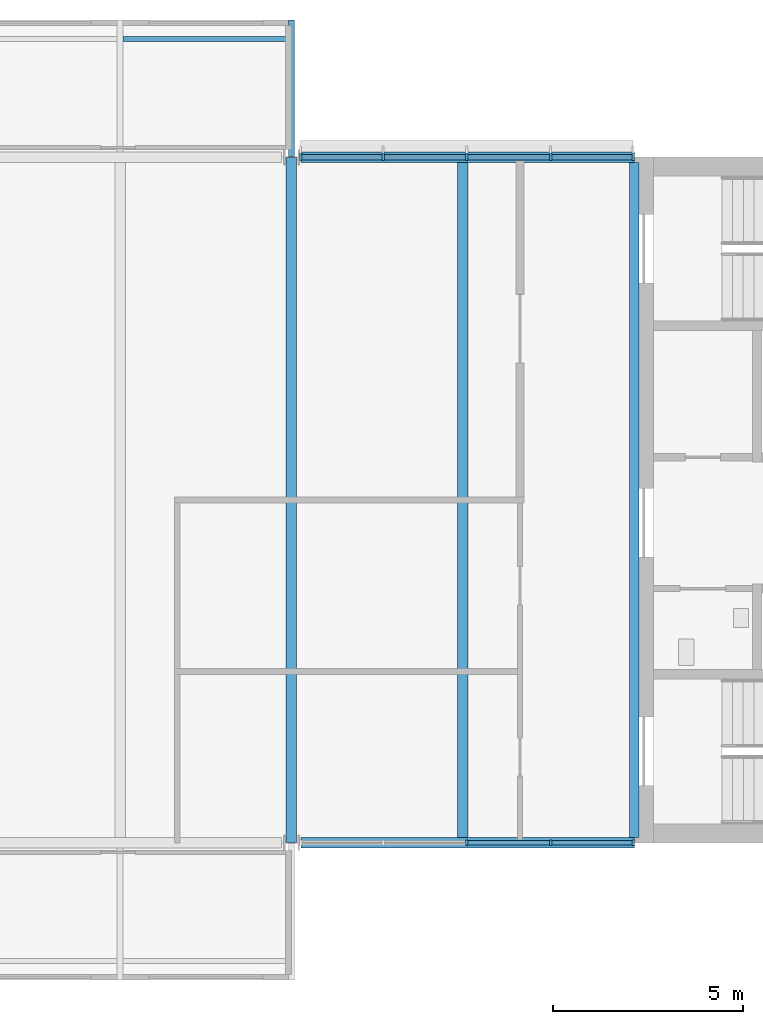
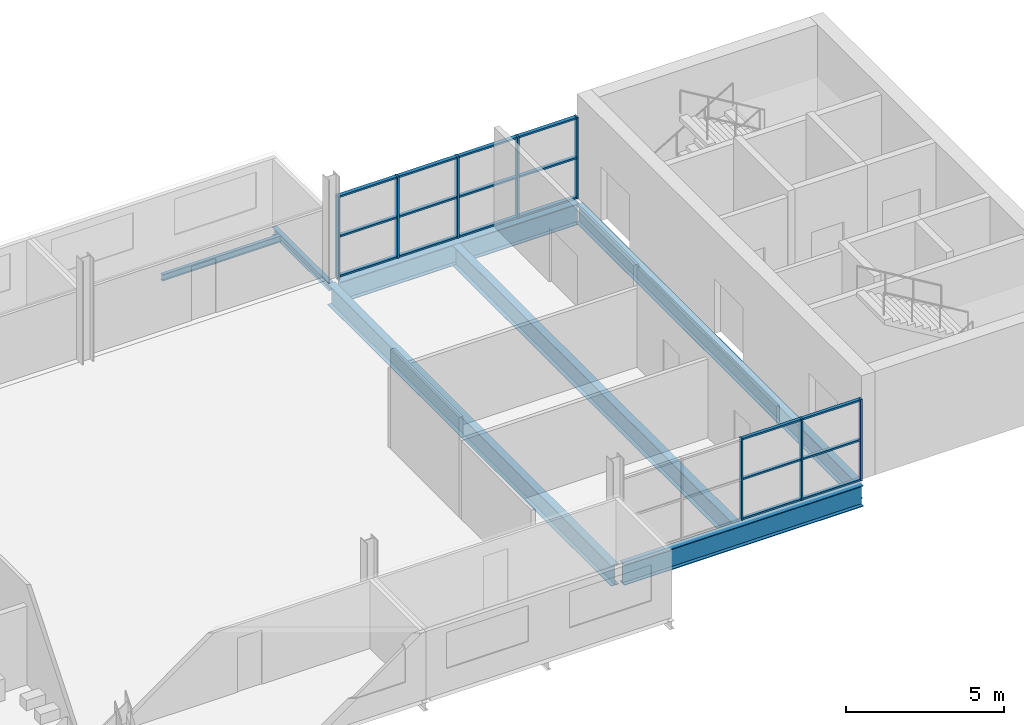
# One storey, part 3 of 10: 26 members, 7 beams, 2 elements without a shape of their own.
"""IFC4 building model written with IfcOpenShell, lengths in metres."""

from ifc_helpers import new_model, si_unit, direction, frame, origin, origin_2d, place, context, subcontext, project, spatial, rectangle, i_section, extrude, material, layer, layer_set, material_profile, profile_set, type_object, element, aggregate, save


model = new_model("IFC4")

# Units and contexts
model_context = context("Model", 3, precision=1e-05, world=origin(), true_north=direction((0.0, 1.0)))
body_context = subcontext(model_context, "Body", "Model", "MODEL_VIEW")
ifc_project = project(units=[si_unit("LENGTHUNIT", "METRE"), si_unit("AREAUNIT", "SQUARE_METRE"), si_unit("VOLUMEUNIT", "CUBIC_METRE"), si_unit("PLANEANGLEUNIT", "RADIAN"), si_unit("MASSUNIT", "GRAM", prefix="KILO")], contexts=[model_context])

# Site, building, storey
site_placement = place(None, origin())
site = spatial("IfcSite", under=ifc_project, at=site_placement, CompositionType="ELEMENT")
building_placement = place(site_placement, origin())
building = spatial("IfcBuilding", under=site, at=building_placement, Name="Corbel Yard City Hall", CompositionType="ELEMENT")
storey_placement = place(building_placement, frame((0.0, 0.0, 27.199951171875)))
storey = spatial("IfcBuildingStorey", under=building, at=storey_placement, Name="L06", CompositionType="ELEMENT", Elevation=27.199951171875)

# Beams
ifc_material_1 = material(Name="Steel Grade 350", Category="steel")
ifc_material_profile_1 = material_profile(ifc_material_1, i_section(OverallWidth=0.27490234375, OverallDepth=0.81005859375, WebThickness=0.010009765625, FlangeThickness=0.02490234375, at=origin_2d()), Name="800WB168")
ifc_profile_set_1 = profile_set([ifc_material_profile_1], Name="Steel Grade 350")
beam_type_1 = type_object("IfcBeamType", Name="Edge beam 800WB168", PredefinedType="BEAM", material=ifc_profile_set_1)
for number, where, z_axis, x_axis, name in (
    (1, (36.257080078125, 99.0, -0.554931640625), (1.0, 0.0, 0.0), (0.0, 1.0, 0.0), "Edge beam 800WB168 EB3 L06tower"),
    (2, (36.257080078125, 117.0, -0.554931640625), (1.0, 0.0, 0.0), (0.0, 1.0, 0.0), "Edge beam 800WB168 EB3 L06tower"),
):
    element("IfcBeam", number, at=place(storey_placement, frame(where, z_axis=z_axis, x_axis=x_axis)), inside=storey, type_object=beam_type_1, Name=name, PredefinedType="BEAM", context=body_context, shape_type="SweptSolid", body=[
        extrude(i_section(OverallWidth=0.27490234375, OverallDepth=0.81005859375, WebThickness=0.010009765625, FlangeThickness=0.02490234375, at=origin_2d()), origin(), (0.0, 0.0, 1.0), 8.742919921875),
    ])
ifc_material_profile_2 = material_profile(ifc_material_1, i_section(OverallWidth=0.27490234375, OverallDepth=0.800048828125, WebThickness=0.010009765625, FlangeThickness=0.02001953125, at=origin_2d()), Name="800WB146")
ifc_profile_set_2 = profile_set([ifc_material_profile_2], Name="Steel Grade 350")
beam_type_2 = type_object("IfcBeamType", Name="Long-span beam 800WB146", PredefinedType="BEAM", material=ifc_profile_set_2)
beam_1_placement = place(storey_placement, frame((36.0, 99.012451171875, -0.550048828125), z_axis=(0.0, 1.0, 0.0), x_axis=(-1.0, 0.0, 0.0)))
element("IfcBeam", 3, at=beam_1_placement, inside=storey, type_object=beam_type_2, Name="Long-span beam 800WB146 SB8 L06tower", PredefinedType="BEAM", context=body_context, shape_type="SweptSolid", body=[
    extrude(i_section(OverallWidth=0.27490234375, OverallDepth=0.800048828125, WebThickness=0.010009765625, FlangeThickness=0.02001953125, at=origin_2d()), origin(), (0.0, 0.0, 1.0), 17.97509765625),
])
ifc_material_profile_3 = material_profile(ifc_material_1, i_section(OverallWidth=0.25, OverallDepth=0.7099609375, WebThickness=0.010009765625, FlangeThickness=0.02490234375, at=origin_2d()), Name="700WB150")
ifc_profile_set_3 = profile_set([ifc_material_profile_3], Name="Steel Grade 350")
beam_type_3 = type_object("IfcBeamType", Name="Long-span edge beam 700WB150", PredefinedType="BEAM", material=ifc_profile_set_3)
beam_2_placement = place(storey_placement, frame((45.0, 99.137451171875, -0.5048828125), z_axis=(0.0, 1.0, 0.0), x_axis=(-1.0, 0.0, 0.0)))
element("IfcBeam", 4, at=beam_2_placement, inside=storey, type_object=beam_type_3, Name="Long-span edge beam 700WB150 EB8 L06tower", PredefinedType="BEAM", context=body_context, shape_type="SweptSolid", body=[
    extrude(i_section(OverallWidth=0.25, OverallDepth=0.7099609375, WebThickness=0.010009765625, FlangeThickness=0.02490234375, at=origin_2d()), origin(), (0.0, 0.0, 1.0), 17.72509765625),
])
ifc_material_profile_4 = material_profile(ifc_material_1, i_section(OverallWidth=0.27490234375, OverallDepth=0.800048828125, WebThickness=0.010009765625, FlangeThickness=0.02001953125, at=origin_2d()), Name="800WB146")
ifc_profile_set_4 = profile_set([ifc_material_profile_4], Name="Steel Grade 350")
beam_type_4 = type_object("IfcBeamType", Name="Long-span secondary beam 800WB146", PredefinedType="JOIST", material=ifc_profile_set_4)
beam_3_placement = place(storey_placement, frame((40.5, 99.137451171875, -0.550048828125), z_axis=(0.0, 1.0, 0.0), x_axis=(-1.0, 0.0, 0.0)))
element("IfcBeam", 5, at=beam_3_placement, inside=storey, type_object=beam_type_4, Name="Long-span secondary beam 800WB146 SB7 L06tower", PredefinedType="JOIST", context=body_context, shape_type="SweptSolid", body=[
    extrude(i_section(OverallWidth=0.27490234375, OverallDepth=0.800048828125, WebThickness=0.010009765625, FlangeThickness=0.02001953125, at=origin_2d()), origin(), (0.0, 0.0, 1.0), 17.72509765625),
])

# Curtain wall, members
ifc_material_2 = material(Name="Aluminium extrusion", Category="aluminium")
ifc_layer_1 = layer(ifc_material_2, 0.14990234375)
ifc_layer_set_1 = layer_set([ifc_layer_1], Name="Aluminium extrusion")
curtain_wall_type_1 = type_object("IfcCurtainWallType", Name="CW2", PredefinedType="USERDEFINED", material=ifc_layer_set_1)
curtain_wall_1_placement = place(storey_placement, origin())
curtain_wall_1 = element("IfcCurtainWall", 6, at=curtain_wall_1_placement, inside=storey, type_object=curtain_wall_type_1, Name="Curtain wall CW2 L06", ObjectType="CURTAIN WALL", PredefinedType="USERDEFINED")
ifc_material_profile_5 = material_profile(ifc_material_2, rectangle(XDim=0.14990234375, YDim=0.06494140625, at=origin_2d()), Name="150x65")
ifc_profile_set_5 = profile_set([ifc_material_profile_5], Name="Aluminium extrusion")
member_type_1 = type_object("IfcMemberType", Name="ML2", PredefinedType="MULLION", material=ifc_profile_set_5)
member_1_placement = place(storey_placement, frame((40.603515625, 99.0, 0.0), z_axis=(0.0, 0.0, 1.0), x_axis=(0.0, 1.0, 0.0)))
member_1 = element("IfcMember", 7, at=member_1_placement, type_object=member_type_1, Name="CW2 mullion 3", PredefinedType="MULLION", context=body_context, shape_type="SweptSolid", body=[
    extrude(rectangle(XDim=0.14990234375, YDim=0.06494140625, at=origin_2d()), origin(), (0.0, 0.0, 1.0), 3.150146484375),
])
member_2_placement = place(storey_placement, frame((42.8017578125, 99.0, 0.0), z_axis=(0.0, 0.0, 1.0), x_axis=(0.0, 1.0, 0.0)))
member_2 = element("IfcMember", 8, at=member_2_placement, type_object=member_type_1, Name="CW2 mullion 4", PredefinedType="MULLION", context=body_context, shape_type="SweptSolid", body=[
    extrude(rectangle(XDim=0.14990234375, YDim=0.06494140625, at=origin_2d()), origin(), (0.0, 0.0, 1.0), 3.150146484375),
])
member_3_placement = place(storey_placement, frame((44.967529296875, 99.0, 0.0), z_axis=(0.0, 0.0, 1.0), x_axis=(0.0, 1.0, 0.0)))
member_3 = element("IfcMember", 9, at=member_3_placement, type_object=member_type_1, Name="CW2 mullion 5", PredefinedType="MULLION", context=body_context, shape_type="SweptSolid", body=[
    extrude(rectangle(XDim=0.14990234375, YDim=0.06494140625, at=origin_2d()), origin(), (0.0, 0.0, 1.0), 3.150146484375),
])

ifc_layer_2 = layer(ifc_material_2, 0.179931640625)
ifc_layer_set_2 = layer_set([ifc_layer_2], Name="Aluminium extrusion")
curtain_wall_type_2 = type_object("IfcCurtainWallType", Name="CW6", PredefinedType="USERDEFINED", material=ifc_layer_set_2)
curtain_wall_2_placement = place(storey_placement, origin())
curtain_wall_2 = element("IfcCurtainWall", 10, at=curtain_wall_2_placement, inside=storey, type_object=curtain_wall_type_2, Name="Curtain wall CW6 L06", ObjectType="CURTAIN WALL", PredefinedType="USERDEFINED")
ifc_material_profile_6 = material_profile(ifc_material_2, rectangle(XDim=0.179931640625, YDim=0.06494140625, at=origin_2d()), Name="180x65")
ifc_profile_set_6 = profile_set([ifc_material_profile_6], Name="Aluminium extrusion")
member_type_2 = type_object("IfcMemberType", Name="ML6", PredefinedType="MULLION", material=ifc_profile_set_6)
member_4_placement = place(storey_placement, frame((36.239501953125, 117.0, 0.0), z_axis=(0.0, 0.0, 1.0), x_axis=(0.0, 1.0, 0.0)))
member_4 = element("IfcMember", 11, at=member_4_placement, type_object=member_type_2, Name="CW6 mullion 1", PredefinedType="MULLION", context=body_context, shape_type="SweptSolid", body=[
    extrude(rectangle(XDim=0.179931640625, YDim=0.06494140625, at=origin_2d()), origin(), (0.0, 0.0, 1.0), 3.150146484375),
])
member_5_placement = place(storey_placement, frame((38.4052734375, 117.0, 0.0), z_axis=(0.0, 0.0, 1.0), x_axis=(0.0, 1.0, 0.0)))
member_5 = element("IfcMember", 12, at=member_5_placement, type_object=member_type_2, Name="CW6 mullion 2", PredefinedType="MULLION", context=body_context, shape_type="SweptSolid", body=[
    extrude(rectangle(XDim=0.179931640625, YDim=0.06494140625, at=origin_2d()), origin(), (0.0, 0.0, 1.0), 3.150146484375),
])
member_6_placement = place(storey_placement, frame((40.603515625, 117.0, 0.0), z_axis=(0.0, 0.0, 1.0), x_axis=(0.0, 1.0, 0.0)))
member_6 = element("IfcMember", 13, at=member_6_placement, type_object=member_type_2, Name="CW6 mullion 3", PredefinedType="MULLION", context=body_context, shape_type="SweptSolid", body=[
    extrude(rectangle(XDim=0.179931640625, YDim=0.06494140625, at=origin_2d()), origin(), (0.0, 0.0, 1.0), 3.150146484375),
])
member_7_placement = place(storey_placement, frame((42.8017578125, 117.0, 0.0), z_axis=(0.0, 0.0, 1.0), x_axis=(0.0, 1.0, 0.0)))
member_7 = element("IfcMember", 14, at=member_7_placement, type_object=member_type_2, Name="CW6 mullion 4", PredefinedType="MULLION", context=body_context, shape_type="SweptSolid", body=[
    extrude(rectangle(XDim=0.179931640625, YDim=0.06494140625, at=origin_2d()), origin(), (0.0, 0.0, 1.0), 3.150146484375),
])
member_8_placement = place(storey_placement, frame((44.967529296875, 117.0, 0.0), z_axis=(0.0, 0.0, 1.0), x_axis=(0.0, 1.0, 0.0)))
member_8 = element("IfcMember", 15, at=member_8_placement, type_object=member_type_2, Name="CW6 mullion 5", PredefinedType="MULLION", context=body_context, shape_type="SweptSolid", body=[
    extrude(rectangle(XDim=0.179931640625, YDim=0.06494140625, at=origin_2d()), origin(), (0.0, 0.0, 1.0), 3.150146484375),
])

# Beams
ifc_material_3 = material(Name="Steel Grade 300 (300 MPa yield)", Category="steel")
ifc_material_profile_7 = material_profile(ifc_material_3, i_section(OverallWidth=0.166015625, OverallDepth=0.306884765625, WebThickness=0.006591796875, FlangeThickness=0.01171875, at=origin_2d()), Name="310UB46.2")
ifc_profile_set_7 = profile_set([ifc_material_profile_7], Name="Steel Grade 300 (300 MPa yield)")
beam_type_5 = type_object("IfcBeamType", Name="Pod stub beam 310UB46.2", PredefinedType="BEAM", material=ifc_profile_set_7)
beam_4_placement = place(storey_placement, frame((36.0, 117.012451171875, -0.303466796875), z_axis=(0.0, 1.0, 0.0), x_axis=(-1.0, 0.0, 0.0)))
element("IfcBeam", 16, at=beam_4_placement, inside=storey, type_object=beam_type_5, Name="Pod stub 310UB46.2 CB1 L06", PredefinedType="BEAM", context=body_context, shape_type="SweptSolid", body=[
    extrude(i_section(OverallWidth=0.166015625, OverallDepth=0.306884765625, WebThickness=0.006591796875, FlangeThickness=0.01171875, at=origin_2d()), origin(), (0.0, 0.0, 1.0), 3.587646484375),
])
ifc_material_profile_8 = material_profile(ifc_material_3, i_section(OverallWidth=0.1240234375, OverallDepth=0.248046875, WebThickness=0.0048828125, FlangeThickness=0.008056640625, at=origin_2d()), Name="250UB25.7")
ifc_profile_set_8 = profile_set([ifc_material_profile_8], Name="Steel Grade 300 (300 MPa yield)")
beam_type_6 = type_object("IfcBeamType", Name="Pod tip beam", PredefinedType="BEAM", material=ifc_profile_set_8)
beam_5_placement = place(storey_placement, frame((31.5830078125, 120.10009765625, -0.27392578125), z_axis=(1.0, 0.0, 0.0), x_axis=(0.0, 1.0, 0.0)))
element("IfcBeam", 17, at=beam_5_placement, inside=storey, type_object=beam_type_6, Name="Pod tip beam", PredefinedType="BEAM", context=body_context, shape_type="SweptSolid", body=[
    extrude(i_section(OverallWidth=0.1240234375, OverallDepth=0.248046875, WebThickness=0.0048828125, FlangeThickness=0.008056640625, at=origin_2d()), origin(), (0.0, 0.0, 1.0), 4.333984375),
])

# Member
ifc_material_profile_9 = material_profile(ifc_material_2, rectangle(XDim=0.1201171875, YDim=0.06494140625, at=origin_2d()), Name="120x65")
ifc_profile_set_9 = profile_set([ifc_material_profile_9], Name="Aluminium extrusion")
member_type_3 = type_object("IfcMemberType", Name="TR2", PredefinedType="USERDEFINED", material=ifc_profile_set_9)
member_9_placement = place(storey_placement, frame((40.635986328125, 99.0, 0.032470703125), z_axis=(1.0, 0.0, 0.0), x_axis=(0.0, 1.0, 0.0)))
member_9 = element("IfcMember", 18, at=member_9_placement, type_object=member_type_3, Name="CW2 transom 3.1", ObjectType="TRANSOM", PredefinedType="USERDEFINED", context=body_context, shape_type="SweptSolid", body=[
    extrude(rectangle(XDim=0.1201171875, YDim=0.06494140625, at=origin_2d()), origin(), (0.0, 0.0, 1.0), 2.13330078125),
])

member_10_placement = place(storey_placement, frame((40.635986328125, 99.0, 1.574951171875), z_axis=(1.0, 0.0, 0.0), x_axis=(0.0, 1.0, 0.0)))
member_10 = element("IfcMember", 19, at=member_10_placement, type_object=member_type_3, Name="CW2 transom 3.2", ObjectType="TRANSOM", PredefinedType="USERDEFINED", context=body_context, shape_type="SweptSolid", body=[
    extrude(rectangle(XDim=0.1201171875, YDim=0.06494140625, at=origin_2d()), origin(), (0.0, 0.0, 1.0), 2.13330078125),
])

member_11_placement = place(storey_placement, frame((40.635986328125, 99.0, 3.117431640625), z_axis=(1.0, 0.0, 0.0), x_axis=(0.0, 1.0, 0.0)))
member_11 = element("IfcMember", 20, at=member_11_placement, type_object=member_type_3, Name="CW2 transom 3.3", ObjectType="TRANSOM", PredefinedType="USERDEFINED", context=body_context, shape_type="SweptSolid", body=[
    extrude(rectangle(XDim=0.1201171875, YDim=0.06494140625, at=origin_2d()), origin(), (0.0, 0.0, 1.0), 2.13330078125),
])

member_12_placement = place(storey_placement, frame((42.834228515625, 99.0, 0.032470703125), z_axis=(1.0, 0.0, 0.0), x_axis=(0.0, 1.0, 0.0)))
member_12 = element("IfcMember", 21, at=member_12_placement, type_object=member_type_3, Name="CW2 transom 4.1", ObjectType="TRANSOM", PredefinedType="USERDEFINED", context=body_context, shape_type="SweptSolid", body=[
    extrude(rectangle(XDim=0.1201171875, YDim=0.06494140625, at=origin_2d()), origin(), (0.0, 0.0, 1.0), 2.100830078125),
])

member_13_placement = place(storey_placement, frame((42.834228515625, 99.0, 1.574951171875), z_axis=(1.0, 0.0, 0.0), x_axis=(0.0, 1.0, 0.0)))
member_13 = element("IfcMember", 22, at=member_13_placement, type_object=member_type_3, Name="CW2 transom 4.2", ObjectType="TRANSOM", PredefinedType="USERDEFINED", context=body_context, shape_type="SweptSolid", body=[
    extrude(rectangle(XDim=0.1201171875, YDim=0.06494140625, at=origin_2d()), origin(), (0.0, 0.0, 1.0), 2.100830078125),
])

member_14_placement = place(storey_placement, frame((42.834228515625, 99.0, 3.117431640625), z_axis=(1.0, 0.0, 0.0), x_axis=(0.0, 1.0, 0.0)))
member_14 = element("IfcMember", 23, at=member_14_placement, type_object=member_type_3, Name="CW2 transom 4.3", ObjectType="TRANSOM", PredefinedType="USERDEFINED", context=body_context, shape_type="SweptSolid", body=[
    extrude(rectangle(XDim=0.1201171875, YDim=0.06494140625, at=origin_2d()), origin(), (0.0, 0.0, 1.0), 2.100830078125),
])

aggregate(curtain_wall_1, [member_1, member_2, member_3, member_9, member_10, member_11, member_12, member_13, member_14])

ifc_material_profile_10 = material_profile(ifc_material_2, rectangle(XDim=0.139892578125, YDim=0.06494140625, at=origin_2d()), Name="140x65")
ifc_profile_set_10 = profile_set([ifc_material_profile_10], Name="Aluminium extrusion")
member_type_4 = type_object("IfcMemberType", Name="TR6", PredefinedType="USERDEFINED", material=ifc_profile_set_10)
member_15_placement = place(storey_placement, frame((36.27197265625, 117.0, 0.032470703125), z_axis=(1.0, 0.0, 0.0), x_axis=(0.0, 1.0, 0.0)))
member_15 = element("IfcMember", 24, at=member_15_placement, type_object=member_type_4, Name="CW6 transom 1.1", ObjectType="TRANSOM", PredefinedType="USERDEFINED", context=body_context, shape_type="SweptSolid", body=[
    extrude(rectangle(XDim=0.139892578125, YDim=0.06494140625, at=origin_2d()), origin(), (0.0, 0.0, 1.0), 2.100830078125),
])

member_16_placement = place(storey_placement, frame((36.27197265625, 117.0, 1.574951171875), z_axis=(1.0, 0.0, 0.0), x_axis=(0.0, 1.0, 0.0)))
member_16 = element("IfcMember", 25, at=member_16_placement, type_object=member_type_4, Name="CW6 transom 1.2", ObjectType="TRANSOM", PredefinedType="USERDEFINED", context=body_context, shape_type="SweptSolid", body=[
    extrude(rectangle(XDim=0.139892578125, YDim=0.06494140625, at=origin_2d()), origin(), (0.0, 0.0, 1.0), 2.100830078125),
])

member_17_placement = place(storey_placement, frame((36.27197265625, 117.0, 3.117431640625), z_axis=(1.0, 0.0, 0.0), x_axis=(0.0, 1.0, 0.0)))
member_17 = element("IfcMember", 26, at=member_17_placement, type_object=member_type_4, Name="CW6 transom 1.3", ObjectType="TRANSOM", PredefinedType="USERDEFINED", context=body_context, shape_type="SweptSolid", body=[
    extrude(rectangle(XDim=0.139892578125, YDim=0.06494140625, at=origin_2d()), origin(), (0.0, 0.0, 1.0), 2.100830078125),
])

member_18_placement = place(storey_placement, frame((38.437744140625, 117.0, 0.032470703125), z_axis=(1.0, 0.0, 0.0), x_axis=(0.0, 1.0, 0.0)))
member_18 = element("IfcMember", 27, at=member_18_placement, type_object=member_type_4, Name="CW6 transom 2.1", ObjectType="TRANSOM", PredefinedType="USERDEFINED", context=body_context, shape_type="SweptSolid", body=[
    extrude(rectangle(XDim=0.139892578125, YDim=0.06494140625, at=origin_2d()), origin(), (0.0, 0.0, 1.0), 2.13330078125),
])

member_19_placement = place(storey_placement, frame((38.437744140625, 117.0, 1.574951171875), z_axis=(1.0, 0.0, 0.0), x_axis=(0.0, 1.0, 0.0)))
member_19 = element("IfcMember", 28, at=member_19_placement, type_object=member_type_4, Name="CW6 transom 2.2", ObjectType="TRANSOM", PredefinedType="USERDEFINED", context=body_context, shape_type="SweptSolid", body=[
    extrude(rectangle(XDim=0.139892578125, YDim=0.06494140625, at=origin_2d()), origin(), (0.0, 0.0, 1.0), 2.13330078125),
])

member_20_placement = place(storey_placement, frame((38.437744140625, 117.0, 3.117431640625), z_axis=(1.0, 0.0, 0.0), x_axis=(0.0, 1.0, 0.0)))
member_20 = element("IfcMember", 29, at=member_20_placement, type_object=member_type_4, Name="CW6 transom 2.3", ObjectType="TRANSOM", PredefinedType="USERDEFINED", context=body_context, shape_type="SweptSolid", body=[
    extrude(rectangle(XDim=0.139892578125, YDim=0.06494140625, at=origin_2d()), origin(), (0.0, 0.0, 1.0), 2.13330078125),
])

member_21_placement = place(storey_placement, frame((40.635986328125, 117.0, 0.032470703125), z_axis=(1.0, 0.0, 0.0), x_axis=(0.0, 1.0, 0.0)))
member_21 = element("IfcMember", 30, at=member_21_placement, type_object=member_type_4, Name="CW6 transom 3.1", ObjectType="TRANSOM", PredefinedType="USERDEFINED", context=body_context, shape_type="SweptSolid", body=[
    extrude(rectangle(XDim=0.139892578125, YDim=0.06494140625, at=origin_2d()), origin(), (0.0, 0.0, 1.0), 2.13330078125),
])

member_22_placement = place(storey_placement, frame((40.635986328125, 117.0, 1.574951171875), z_axis=(1.0, 0.0, 0.0), x_axis=(0.0, 1.0, 0.0)))
member_22 = element("IfcMember", 31, at=member_22_placement, type_object=member_type_4, Name="CW6 transom 3.2", ObjectType="TRANSOM", PredefinedType="USERDEFINED", context=body_context, shape_type="SweptSolid", body=[
    extrude(rectangle(XDim=0.139892578125, YDim=0.06494140625, at=origin_2d()), origin(), (0.0, 0.0, 1.0), 2.13330078125),
])

member_23_placement = place(storey_placement, frame((40.635986328125, 117.0, 3.117431640625), z_axis=(1.0, 0.0, 0.0), x_axis=(0.0, 1.0, 0.0)))
member_23 = element("IfcMember", 32, at=member_23_placement, type_object=member_type_4, Name="CW6 transom 3.3", ObjectType="TRANSOM", PredefinedType="USERDEFINED", context=body_context, shape_type="SweptSolid", body=[
    extrude(rectangle(XDim=0.139892578125, YDim=0.06494140625, at=origin_2d()), origin(), (0.0, 0.0, 1.0), 2.13330078125),
])

member_24_placement = place(storey_placement, frame((42.834228515625, 117.0, 0.032470703125), z_axis=(1.0, 0.0, 0.0), x_axis=(0.0, 1.0, 0.0)))
member_24 = element("IfcMember", 33, at=member_24_placement, type_object=member_type_4, Name="CW6 transom 4.1", ObjectType="TRANSOM", PredefinedType="USERDEFINED", context=body_context, shape_type="SweptSolid", body=[
    extrude(rectangle(XDim=0.139892578125, YDim=0.06494140625, at=origin_2d()), origin(), (0.0, 0.0, 1.0), 2.100830078125),
])

member_25_placement = place(storey_placement, frame((42.834228515625, 117.0, 1.574951171875), z_axis=(1.0, 0.0, 0.0), x_axis=(0.0, 1.0, 0.0)))
member_25 = element("IfcMember", 34, at=member_25_placement, type_object=member_type_4, Name="CW6 transom 4.2", ObjectType="TRANSOM", PredefinedType="USERDEFINED", context=body_context, shape_type="SweptSolid", body=[
    extrude(rectangle(XDim=0.139892578125, YDim=0.06494140625, at=origin_2d()), origin(), (0.0, 0.0, 1.0), 2.100830078125),
])

member_26_placement = place(storey_placement, frame((42.834228515625, 117.0, 3.117431640625), z_axis=(1.0, 0.0, 0.0), x_axis=(0.0, 1.0, 0.0)))
member_26 = element("IfcMember", 35, at=member_26_placement, type_object=member_type_4, Name="CW6 transom 4.3", ObjectType="TRANSOM", PredefinedType="USERDEFINED", context=body_context, shape_type="SweptSolid", body=[
    extrude(rectangle(XDim=0.139892578125, YDim=0.06494140625, at=origin_2d()), origin(), (0.0, 0.0, 1.0), 2.100830078125),
])

aggregate(curtain_wall_2, [member_4, member_5, member_6, member_7, member_8, member_15, member_16, member_17, member_18, member_19, member_20, member_21, member_22, member_23, member_24, member_25, member_26])

save(model, "model.ifc")
